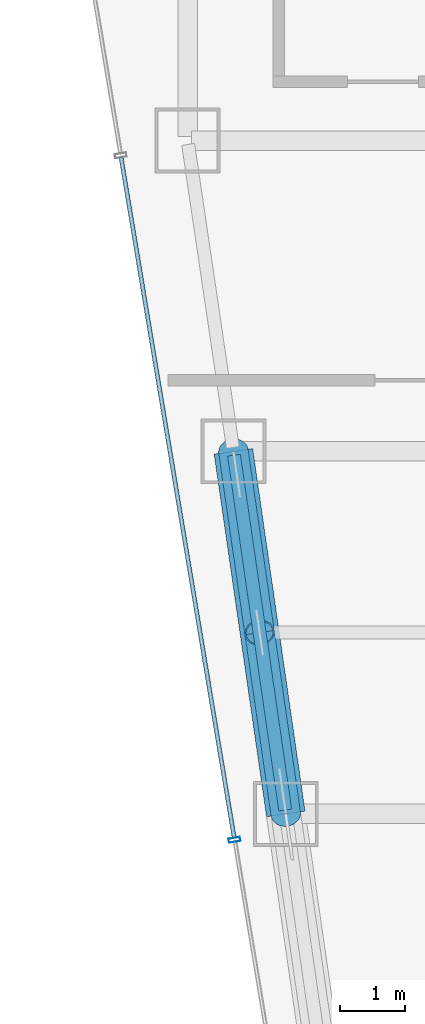
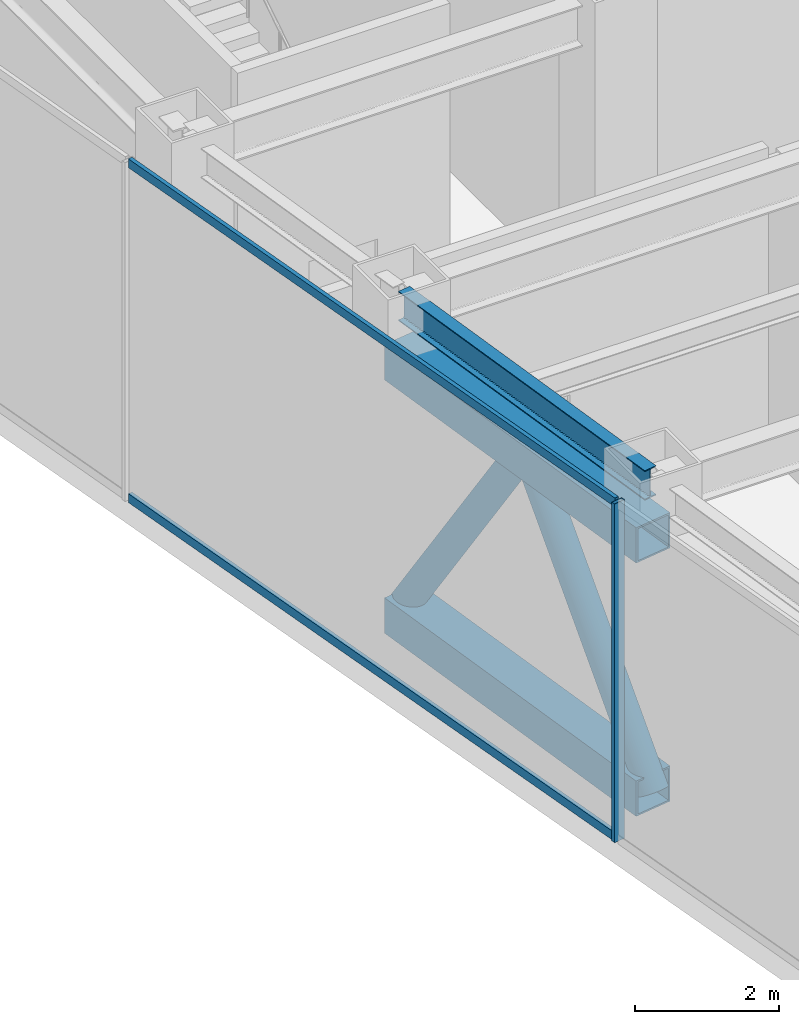
# One storey, part 9 of 30: 7 members, 1 beam, 1 element without a shape of its own.
"""IFC4 building model written with IfcOpenShell, lengths in metres."""

from ifc_helpers import new_model, si_unit, direction, frame, origin, origin_2d, place, context, subcontext, project, spatial, hollow_rectangle, hollow_circle, i_section, extrude, material, material_profile, profile_set, type_object, element, aggregate, save


model = new_model("IFC4")

# Units and contexts
model_context = context("Model", 3, precision=1e-05, world=origin(), true_north=direction((0.0, 1.0)))
body_context = subcontext(model_context, "Body", "Model", "MODEL_VIEW")
ifc_project = project(units=[si_unit("LENGTHUNIT", "METRE"), si_unit("AREAUNIT", "SQUARE_METRE"), si_unit("VOLUMEUNIT", "CUBIC_METRE"), si_unit("PLANEANGLEUNIT", "RADIAN"), si_unit("MASSUNIT", "GRAM", prefix="KILO")], contexts=[model_context])

# Site, building, storey
site_placement = place(None, origin())
site = spatial("IfcSite", under=ifc_project, at=site_placement, CompositionType="ELEMENT")
building_placement = place(site_placement, origin())
building = spatial("IfcBuilding", under=site, at=building_placement, Name="Saevonmaru Cultural Tower", CompositionType="ELEMENT")
storey_placement = place(building_placement, frame((0.0, 0.0, 123.60009765625)))
storey = spatial("IfcBuildingStorey", under=building, at=storey_placement, Name="L26", CompositionType="ELEMENT", Elevation=123.60009765625)

# Beam
ifc_material_1 = material(Name="Steel SM355", Category="steel")
ifc_material_profile_1 = material_profile(ifc_material_1, i_section(OverallWidth=0.199951171875, OverallDepth=0.5, WebThickness=0.010009765625, FlangeThickness=0.01611328125, FilletRadius=0.02001953125, at=origin_2d()), Name="H-500x200x10x16")
ifc_profile_set_1 = profile_set([ifc_material_profile_1], Name="Steel SM355")
beam_type = type_object("IfcBeamType", Name="BM-SP-H500", PredefinedType="SPANDREL", material=ifc_profile_set_1)
beam_placement = place(storey_placement, frame((8.308349609375, 32.059326171875, 5.5), z_axis=(-0.142964121327, 0.989727871697, 0.0), x_axis=(-0.989727871697, -0.142964121327, 0.0)))
element("IfcBeam", 1, at=beam_placement, inside=storey, type_object=beam_type, Name="L26 West Splayed Spandrel 4", PredefinedType="SPANDREL", context=body_context, shape_type="SweptSolid", body=[
    extrude(i_section(OverallWidth=0.199951171875, OverallDepth=0.5, WebThickness=0.010009765625, FlangeThickness=0.01611328125, FilletRadius=0.02001953125, at=origin_2d()), origin(), (0.0, 0.0, 1.0), 5.5380859375),
])

# Members
ifc_material_2 = material(Name="Steel SM420", Category="steel")
ifc_material_profile_2 = material_profile(ifc_material_2, hollow_circle(Radius=0.228515625, WallThickness=0.02001953125, at=origin_2d()), Name="CHS-457.2x20")
ifc_profile_set_2 = profile_set([ifc_material_profile_2], Name="Steel SM420")
member_type_1 = type_object("IfcMemberType", Name="MB-BBR-CHS457", PredefinedType="BRACE", material=ifc_profile_set_2)
for number, where, z_axis, x_axis, name in (
    (2, (8.31689453125, 32.0, 0.2998046875), (-0.078640515276, 0.543985566767, 0.835401324219), (-0.989711663089, -0.143076287157, 0.0), "L26 Belt Truss Diagonal BW4-1"),
    (3, (7.508056640625, 37.60009765625, 0.2998046875), (0.078499100039, -0.543991648551, 0.835410664045), (0.989748290967, 0.142822689123, 0.0), "L26 Belt Truss Diagonal BW4-2"),
):
    element("IfcMember", number, at=place(storey_placement, frame(where, z_axis=z_axis, x_axis=x_axis)), inside=storey, type_object=member_type_1, Name=name, PredefinedType="BRACE", context=body_context, shape_type="SweptSolid", body=[
        extrude(hollow_circle(Radius=0.228515625, WallThickness=0.02001953125, at=origin_2d()), origin(), (0.0, 0.0, 1.0), 5.147216796875),
    ])
ifc_material_profile_3 = material_profile(ifc_material_2, hollow_rectangle(XDim=0.60009765625, YDim=0.60009765625, WallThickness=0.028076171875, at=origin_2d()), Name="BOX-600x600x28")
ifc_profile_set_3 = profile_set([ifc_material_profile_3], Name="Steel SM420")
member_type_2 = type_object("IfcMemberType", Name="MB-BCH-BOX600", PredefinedType="CHORD", material=ifc_profile_set_3)
for number, where, z_axis, x_axis, name in (
    (4, (8.31689453125, 32.0, 0.2998046875), (-0.142949491659, 0.989729984811, 0.0), (-0.989729984811, -0.142949491659, 0.0), "L26 Belt Truss Bottom Chord BW4"),
    (5, (8.31689453125, 32.0, 4.599853515625), (-0.142949491659, 0.989729984811, 0.0), (-0.989729984811, -0.142949491659, 0.0), "L26 Belt Truss Top Chord BW4"),
):
    element("IfcMember", number, at=place(storey_placement, frame(where, z_axis=z_axis, x_axis=x_axis)), inside=storey, type_object=member_type_2, Name=name, PredefinedType="CHORD", context=body_context, shape_type="SweptSolid", body=[
        extrude(hollow_rectangle(XDim=0.60009765625, YDim=0.60009765625, WallThickness=0.028076171875, at=origin_2d()), origin(), (0.0, 0.0, 1.0), 5.658203125),
    ])

# Curtain wall, members
ifc_material_3 = material(Name="Satin Bronze Anodised Aluminium", Category="aluminium")
curtain_wall_type = type_object("IfcCurtainWallType", Name="CW-TYP-A", PredefinedType="NOTDEFINED", material=ifc_material_3)
curtain_wall_placement = place(storey_placement, origin())
curtain_wall = element("IfcCurtainWall", 6, at=curtain_wall_placement, inside=storey, type_object=curtain_wall_type, Name="L26 Wind-Floor Acoustic Louvre Screen E12", PredefinedType="NOTDEFINED")
ifc_material_profile_4 = material_profile(ifc_material_3, hollow_rectangle(XDim=0.06494140625, YDim=0.179931640625, WallThickness=0.00390625, at=origin_2d()), Name="ALU-MULL-180x65x4")
ifc_profile_set_4 = profile_set([ifc_material_profile_4], Name="Satin Bronze Anodised Aluminium")
member_type_3 = type_object("IfcMemberType", Name="ML-CW-180x65", PredefinedType="MULLION", material=ifc_profile_set_4)
member_1_placement = place(storey_placement, frame((7.5244140625, 31.60009765625, 0.0), z_axis=(0.0, 0.0, 1.0), x_axis=(0.163998702345, -0.986460554523, 0.0)))
member_1 = element("IfcMember", 7, at=member_1_placement, type_object=member_type_3, Name="CW-TW-L26-E12 mullion 3", PredefinedType="MULLION", context=body_context, shape_type="SweptSolid", body=[
    extrude(hollow_rectangle(XDim=0.06494140625, YDim=0.179931640625, WallThickness=0.00390625, at=origin_2d()), origin(), (0.0, 0.0, 1.0), 5.75),
])
ifc_material_profile_5 = material_profile(ifc_material_3, hollow_rectangle(XDim=0.06494140625, YDim=0.14990234375, WallThickness=0.00390625, at=origin_2d()), Name="ALU-TRAN-150x65x4")
ifc_profile_set_5 = profile_set([ifc_material_profile_5], Name="Satin Bronze Anodised Aluminium")
member_type_4 = type_object("IfcMemberType", Name="TR-CW-150x65", PredefinedType="USERDEFINED", material=ifc_profile_set_5)
member_2_placement = place(storey_placement, frame((5.7724609375, 42.138427734375, 0.032470703125), z_axis=(0.163990079074, -0.9864619881, 0.0), x_axis=(0.9864619881, 0.163990079074, 0.0)))
member_2 = element("IfcMember", 8, at=member_2_placement, type_object=member_type_4, Name="CW-TW-L26-E12 transom 2.1", ObjectType="TRANSOM", PredefinedType="USERDEFINED", context=body_context, shape_type="SweptSolid", body=[
    extrude(hollow_rectangle(XDim=0.06494140625, YDim=0.14990234375, WallThickness=0.00390625, at=origin_2d()), origin(), (0.0, 0.0, 1.0), 10.650634765625),
])
member_3_placement = place(storey_placement, frame((5.7724609375, 42.138427734375, 5.71728515625), z_axis=(0.163990079074, -0.9864619881, 0.0), x_axis=(0.9864619881, 0.163990079074, 0.0)))
member_3 = element("IfcMember", 9, at=member_3_placement, type_object=member_type_4, Name="CW-TW-L26-E12 transom 2.2", ObjectType="TRANSOM", PredefinedType="USERDEFINED", context=body_context, shape_type="SweptSolid", body=[
    extrude(hollow_rectangle(XDim=0.06494140625, YDim=0.14990234375, WallThickness=0.00390625, at=origin_2d()), origin(), (0.0, 0.0, 1.0), 10.650634765625),
])
aggregate(curtain_wall, [member_1, member_2, member_3])

save(model, "model.ifc")
